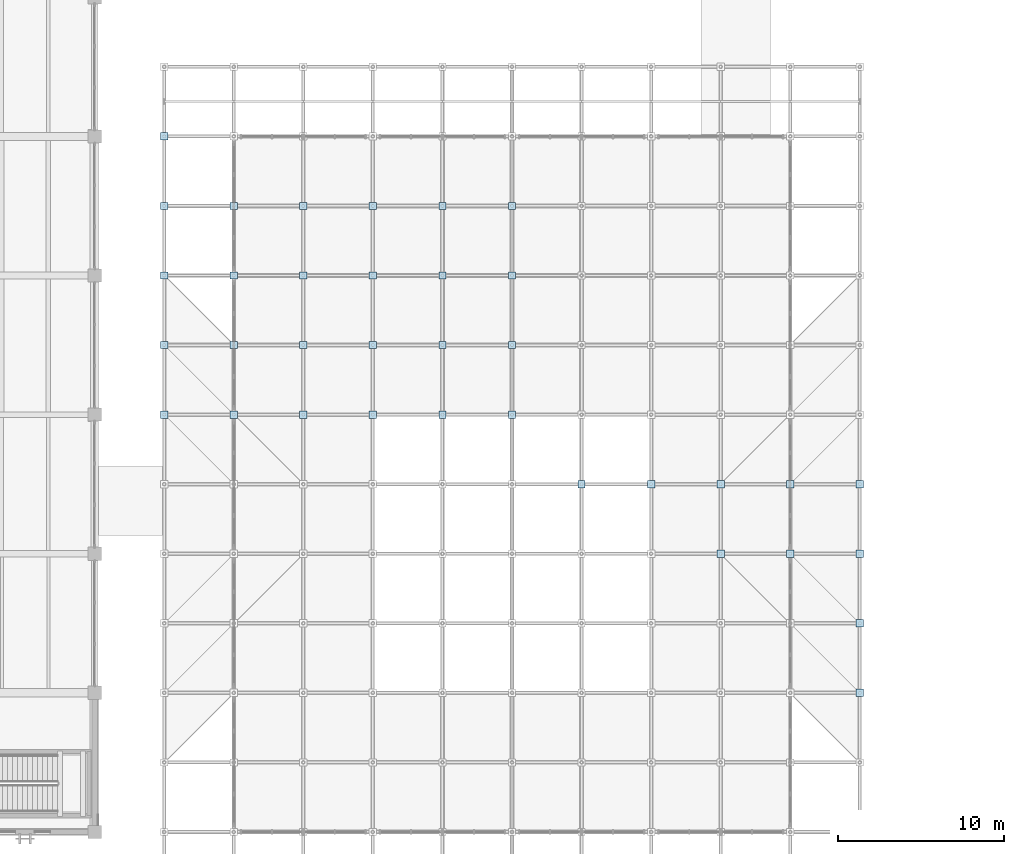
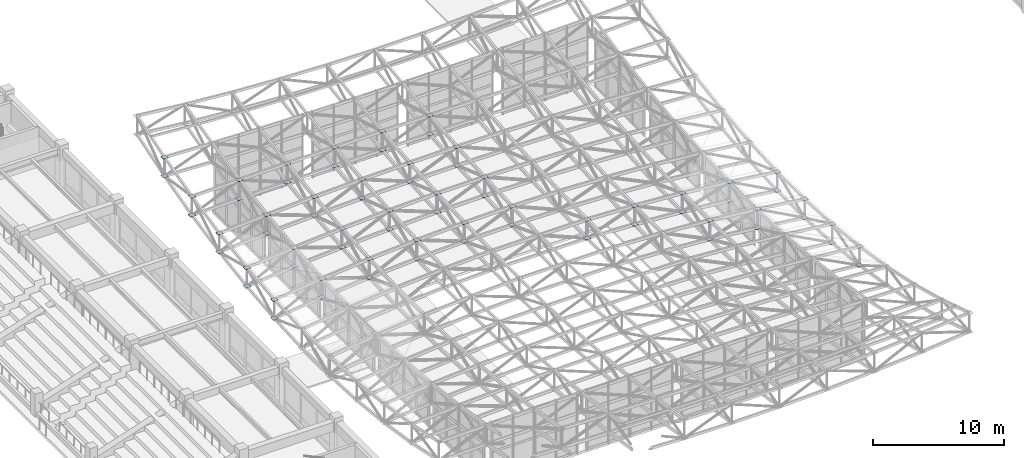
# One storey, part 75 of 132: 70 plates.
"""IFC4 building model written with IfcOpenShell, lengths in metres."""

from ifc_helpers import new_model, si_unit, direction, frame, origin, origin_2d, place, context, subcontext, project, spatial, rectangle, extrude, material, layer, layer_set, type_object, element, save


model = new_model("IFC4")

# Units and contexts
model_context = context("Model", 3, precision=1e-05, world=origin(), true_north=direction((0.0, 1.0)))
body_context = subcontext(model_context, "Body", "Model", "MODEL_VIEW")
ifc_project = project(units=[si_unit("LENGTHUNIT", "METRE"), si_unit("AREAUNIT", "SQUARE_METRE"), si_unit("VOLUMEUNIT", "CUBIC_METRE"), si_unit("PLANEANGLEUNIT", "RADIAN"), si_unit("MASSUNIT", "GRAM", prefix="KILO")], contexts=[model_context])

# Site, building, storey
site_placement = place(None, origin())
site = spatial("IfcSite", under=ifc_project, at=site_placement, CompositionType="ELEMENT")
building_placement = place(site_placement, origin())
building = spatial("IfcBuilding", under=site, at=building_placement, Name="Cumbredor Promenade Congress Hotel", CompositionType="ELEMENT")
storey_placement = place(building_placement, frame((0.0, 0.0, 7.56005859375)))
storey = spatial("IfcBuildingStorey", under=building, at=storey_placement, Name="L02", CompositionType="ELEMENT", Elevation=7.56005859375)

# Plates
ifc_material = material(Name="Steel ASTM A572 Grade 50", Category="steel")
ifc_layer = layer(ifc_material, 0.028076171875, Name="Steel ASTM A572 Grade 50", Category="steel")
ifc_layer_set = layer_set([ifc_layer], Name="Steel ASTM A572 Grade 50")
plate_type = type_object("IfcPlateType", Name="Space Frame Node Assembly ND-03", PredefinedType="USERDEFINED", material=ifc_layer_set)
for number, where, z_axis, x_axis, name in (
    (1, (71.39990234375, 33.60009765625, 3.29541015625), (0.0, 0.0, 1.0), (1.0, 0.0, 0.0), "Thermal Spa and Hydrotherapy Pavilion Space Frame Top Node 1.9"),
    (2, (71.39990234375, 33.60009765625, 1.54541015625), (0.0, 0.0, 1.0), (1.0, 0.0, 0.0), "Thermal Spa and Hydrotherapy Pavilion Space Frame Bottom Node 1.9"),
    (3, (71.39990234375, 37.800048828125, 3.7392578125), (0.0, 0.0, 1.0), (1.0, 0.0, 0.0), "Thermal Spa and Hydrotherapy Pavilion Space Frame Top Node 1.10"),
    (4, (71.39990234375, 37.800048828125, 1.9892578125), (0.0, 0.0, 1.0), (1.0, 0.0, 0.0), "Thermal Spa and Hydrotherapy Pavilion Space Frame Bottom Node 1.10"),
    (5, (71.39990234375, 42.0, 4.40478515625), (0.0, 0.0, 1.0), (1.0, 0.0, 0.0), "Thermal Spa and Hydrotherapy Pavilion Space Frame Top Node 1.11"),
    (6, (71.39990234375, 42.0, 2.65478515625), (0.0, 0.0, 1.0), (1.0, 0.0, 0.0), "Thermal Spa and Hydrotherapy Pavilion Space Frame Bottom Node 1.11"),
    (7, (71.39990234375, 46.199951171875, 5.2919921875), (0.0, 0.0, 1.0), (1.0, 0.0, 0.0), "Thermal Spa and Hydrotherapy Pavilion Space Frame Top Node 1.12"),
    (8, (71.39990234375, 46.199951171875, 3.5419921875), (0.0, 0.0, 1.0), (1.0, 0.0, 0.0), "Thermal Spa and Hydrotherapy Pavilion Space Frame Bottom Node 1.12"),
    (9, (71.39990234375, 50.39990234375, 6.40087890625), (0.0, 0.0, 1.0), (1.0, 0.0, 0.0), "Thermal Spa and Hydrotherapy Pavilion Space Frame Top Node 1.13"),
    (10, (71.39990234375, 50.39990234375, 4.65087890625), (0.0, 0.0, 1.0), (1.0, 0.0, 0.0), "Thermal Spa and Hydrotherapy Pavilion Space Frame Bottom Node 1.13"),
    (11, (75.60009765625, 33.60009765625, 3.783203125), (0.0, 0.0, 1.0), (1.0, 0.0, 0.0), "Thermal Spa and Hydrotherapy Pavilion Space Frame Top Node 2.9"),
    (12, (75.60009765625, 33.60009765625, 2.033203125), (0.0, 0.0, 1.0), (1.0, 0.0, 0.0), "Thermal Spa and Hydrotherapy Pavilion Space Frame Bottom Node 2.9"),
    (13, (75.60009765625, 37.800048828125, 4.13525390625), (0.0, 0.0, 1.0), (1.0, 0.0, 0.0), "Thermal Spa and Hydrotherapy Pavilion Space Frame Top Node 2.10"),
    (14, (75.60009765625, 37.800048828125, 2.38525390625), (0.0, 0.0, 1.0), (1.0, 0.0, 0.0), "Thermal Spa and Hydrotherapy Pavilion Space Frame Bottom Node 2.10"),
    (15, (75.60009765625, 42.0, 4.6630859375), (0.0, 0.0, 1.0), (1.0, 0.0, 0.0), "Thermal Spa and Hydrotherapy Pavilion Space Frame Top Node 2.11"),
    (16, (75.60009765625, 42.0, 2.9130859375), (0.0, 0.0, 1.0), (1.0, 0.0, 0.0), "Thermal Spa and Hydrotherapy Pavilion Space Frame Bottom Node 2.11"),
    (17, (75.60009765625, 46.199951171875, 5.3662109375), (0.0, 0.0, 1.0), (1.0, 0.0, 0.0), "Thermal Spa and Hydrotherapy Pavilion Space Frame Top Node 2.12"),
    (18, (75.60009765625, 46.199951171875, 3.6162109375), (0.0, 0.0, 1.0), (1.0, 0.0, 0.0), "Thermal Spa and Hydrotherapy Pavilion Space Frame Bottom Node 2.12"),
    (19, (79.800048828125, 33.60009765625, 4.1640625), (0.0, 0.0, 1.0), (1.0, 0.0, 0.0), "Thermal Spa and Hydrotherapy Pavilion Space Frame Top Node 3.9"),
    (20, (79.800048828125, 33.60009765625, 2.4140625), (0.0, 0.0, 1.0), (1.0, 0.0, 0.0), "Thermal Spa and Hydrotherapy Pavilion Space Frame Bottom Node 3.9"),
    (21, (79.800048828125, 37.800048828125, 4.44482421875), (0.0, 0.0, 1.0), (1.0, 0.0, 0.0), "Thermal Spa and Hydrotherapy Pavilion Space Frame Top Node 3.10"),
    (22, (79.800048828125, 37.800048828125, 2.69482421875), (0.0, 0.0, 1.0), (1.0, 0.0, 0.0), "Thermal Spa and Hydrotherapy Pavilion Space Frame Bottom Node 3.10"),
    (23, (79.800048828125, 42.0, 4.86572265625), (0.0, 0.0, 1.0), (1.0, 0.0, 0.0), "Thermal Spa and Hydrotherapy Pavilion Space Frame Top Node 3.11"),
    (24, (79.800048828125, 42.0, 3.11572265625), (0.0, 0.0, 1.0), (1.0, 0.0, 0.0), "Thermal Spa and Hydrotherapy Pavilion Space Frame Bottom Node 3.11"),
    (25, (79.800048828125, 46.199951171875, 5.4267578125), (0.0, 0.0, 1.0), (1.0, 0.0, 0.0), "Thermal Spa and Hydrotherapy Pavilion Space Frame Top Node 3.12"),
    (26, (79.800048828125, 46.199951171875, 3.6767578125), (0.0, 0.0, 1.0), (1.0, 0.0, 0.0), "Thermal Spa and Hydrotherapy Pavilion Space Frame Bottom Node 3.12"),
    (27, (84.0, 33.60009765625, 4.4365234375), (0.0, 0.0, 1.0), (1.0, 0.0, 0.0), "Thermal Spa and Hydrotherapy Pavilion Space Frame Top Node 4.9"),
    (28, (84.0, 33.60009765625, 2.6865234375), (0.0, 0.0, 1.0), (1.0, 0.0, 0.0), "Thermal Spa and Hydrotherapy Pavilion Space Frame Bottom Node 4.9"),
    (29, (84.0, 37.800048828125, 4.666015625), (0.0, 0.0, 1.0), (1.0, 0.0, 0.0), "Thermal Spa and Hydrotherapy Pavilion Space Frame Top Node 4.10"),
    (30, (84.0, 37.800048828125, 2.916015625), (0.0, 0.0, 1.0), (1.0, 0.0, 0.0), "Thermal Spa and Hydrotherapy Pavilion Space Frame Bottom Node 4.10"),
    (31, (84.0, 42.0, 5.0107421875), (0.0, 0.0, 1.0), (1.0, 0.0, 0.0), "Thermal Spa and Hydrotherapy Pavilion Space Frame Top Node 4.11"),
    (32, (84.0, 42.0, 3.2607421875), (0.0, 0.0, 1.0), (1.0, 0.0, 0.0), "Thermal Spa and Hydrotherapy Pavilion Space Frame Bottom Node 4.11"),
    (33, (84.0, 46.199951171875, 5.47021484375), (0.0, 0.0, 1.0), (1.0, 0.0, 0.0), "Thermal Spa and Hydrotherapy Pavilion Space Frame Top Node 4.12"),
    (34, (84.0, 46.199951171875, 3.72021484375), (0.0, 0.0, 1.0), (1.0, 0.0, 0.0), "Thermal Spa and Hydrotherapy Pavilion Space Frame Bottom Node 4.12"),
    (35, (88.199951171875, 33.60009765625, 4.599609375), (0.0, 0.0, 1.0), (1.0, 0.0, 0.0), "Thermal Spa and Hydrotherapy Pavilion Space Frame Top Node 5.9"),
    (36, (88.199951171875, 33.60009765625, 2.849609375), (0.0, 0.0, 1.0), (1.0, 0.0, 0.0), "Thermal Spa and Hydrotherapy Pavilion Space Frame Bottom Node 5.9"),
    (37, (88.199951171875, 37.800048828125, 4.798828125), (0.0, 0.0, 1.0), (1.0, 0.0, 0.0), "Thermal Spa and Hydrotherapy Pavilion Space Frame Top Node 5.10"),
    (38, (88.199951171875, 37.800048828125, 3.048828125), (0.0, 0.0, 1.0), (1.0, 0.0, 0.0), "Thermal Spa and Hydrotherapy Pavilion Space Frame Bottom Node 5.10"),
    (39, (88.199951171875, 42.0, 5.09765625), (0.0, 0.0, 1.0), (1.0, 0.0, 0.0), "Thermal Spa and Hydrotherapy Pavilion Space Frame Top Node 5.11"),
    (40, (88.199951171875, 42.0, 3.34765625), (0.0, 0.0, 1.0), (1.0, 0.0, 0.0), "Thermal Spa and Hydrotherapy Pavilion Space Frame Bottom Node 5.11"),
    (41, (88.199951171875, 46.199951171875, 5.49609375), (0.0, 0.0, 1.0), (1.0, 0.0, 0.0), "Thermal Spa and Hydrotherapy Pavilion Space Frame Top Node 5.12"),
    (42, (88.199951171875, 46.199951171875, 3.74609375), (0.0, 0.0, 1.0), (1.0, 0.0, 0.0), "Thermal Spa and Hydrotherapy Pavilion Space Frame Bottom Node 5.12"),
    (43, (92.39990234375, 33.60009765625, 4.654296875), (0.0, 0.0, 1.0), (1.0, 0.0, 0.0), "Thermal Spa and Hydrotherapy Pavilion Space Frame Top Node 6.9"),
    (44, (92.39990234375, 33.60009765625, 2.904296875), (0.0, 0.0, 1.0), (1.0, 0.0, 0.0), "Thermal Spa and Hydrotherapy Pavilion Space Frame Bottom Node 6.9"),
    (45, (92.39990234375, 37.800048828125, 4.84326171875), (0.0, 0.0, 1.0), (1.0, 0.0, 0.0), "Thermal Spa and Hydrotherapy Pavilion Space Frame Top Node 6.10"),
    (46, (92.39990234375, 37.800048828125, 3.09326171875), (0.0, 0.0, 1.0), (1.0, 0.0, 0.0), "Thermal Spa and Hydrotherapy Pavilion Space Frame Bottom Node 6.10"),
    (47, (92.39990234375, 42.0, 5.12646484375), (0.0, 0.0, 1.0), (1.0, 0.0, 0.0), "Thermal Spa and Hydrotherapy Pavilion Space Frame Top Node 6.11"),
    (48, (92.39990234375, 42.0, 3.37646484375), (0.0, 0.0, 1.0), (1.0, 0.0, 0.0), "Thermal Spa and Hydrotherapy Pavilion Space Frame Bottom Node 6.11"),
    (49, (92.39990234375, 46.199951171875, 5.5048828125), (0.0, 0.0, 1.0), (1.0, 0.0, 0.0), "Thermal Spa and Hydrotherapy Pavilion Space Frame Top Node 6.12"),
    (50, (92.39990234375, 46.199951171875, 3.7548828125), (0.0, 0.0, 1.0), (1.0, 0.0, 0.0), "Thermal Spa and Hydrotherapy Pavilion Space Frame Bottom Node 6.12"),
    (51, (96.60009765625, 29.39990234375, 4.5), (0.0, 0.0, 1.0), (1.0, 0.0, 0.0), "Thermal Spa and Hydrotherapy Pavilion Space Frame Top Node 7.8"),
    (52, (96.60009765625, 29.39990234375, 2.75), (0.0, 0.0, 1.0), (1.0, 0.0, 0.0), "Thermal Spa and Hydrotherapy Pavilion Space Frame Bottom Node 7.8"),
    (53, (100.800048828125, 29.39990234375, 4.32177734375), (0.0, 0.0, 1.0), (1.0, 0.0, 0.0), "Thermal Spa and Hydrotherapy Pavilion Space Frame Top Node 8.8"),
    (54, (100.800048828125, 29.39990234375, 2.57177734375), (0.0, 0.0, 1.0), (1.0, 0.0, 0.0), "Thermal Spa and Hydrotherapy Pavilion Space Frame Bottom Node 8.8"),
    (55, (105.0, 25.199951171875, 4.02392578125), (0.0, 0.0, 1.0), (1.0, 0.0, 0.0), "Thermal Spa and Hydrotherapy Pavilion Space Frame Top Node 9.7"),
    (56, (105.0, 25.199951171875, 2.27392578125), (0.0, 0.0, 1.0), (1.0, 0.0, 0.0), "Thermal Spa and Hydrotherapy Pavilion Space Frame Bottom Node 9.7"),
    (57, (105.0, 29.39990234375, 4.02392578125), (0.0, 0.0, 1.0), (1.0, 0.0, 0.0), "Thermal Spa and Hydrotherapy Pavilion Space Frame Top Node 9.8"),
    (58, (105.0, 29.39990234375, 2.27392578125), (0.0, 0.0, 1.0), (1.0, 0.0, 0.0), "Thermal Spa and Hydrotherapy Pavilion Space Frame Bottom Node 9.8"),
    (59, (109.199951171875, 25.199951171875, 3.60791015625), (0.0, 0.0, 1.0), (1.0, 0.0, 0.0), "Thermal Spa and Hydrotherapy Pavilion Space Frame Top Node 10.7"),
    (60, (109.199951171875, 25.199951171875, 1.85791015625), (0.0, 0.0, 1.0), (1.0, 0.0, 0.0), "Thermal Spa and Hydrotherapy Pavilion Space Frame Bottom Node 10.7"),
    (61, (109.199951171875, 29.39990234375, 3.60791015625), (0.0, 0.0, 1.0), (1.0, 0.0, 0.0), "Thermal Spa and Hydrotherapy Pavilion Space Frame Top Node 10.8"),
    (62, (109.199951171875, 29.39990234375, 1.85791015625), (0.0, 0.0, 1.0), (1.0, 0.0, 0.0), "Thermal Spa and Hydrotherapy Pavilion Space Frame Bottom Node 10.8"),
    (63, (113.39990234375, 16.800048828125, 3.7392578125), (0.0, 0.0, 1.0), (1.0, 0.0, 0.0), "Thermal Spa and Hydrotherapy Pavilion Space Frame Top Node 11.5"),
    (64, (113.39990234375, 16.800048828125, 1.9892578125), (0.0, 0.0, 1.0), (1.0, 0.0, 0.0), "Thermal Spa and Hydrotherapy Pavilion Space Frame Bottom Node 11.5"),
    (65, (113.39990234375, 21.0, 3.29541015625), (0.0, 0.0, 1.0), (1.0, 0.0, 0.0), "Thermal Spa and Hydrotherapy Pavilion Space Frame Top Node 11.6"),
    (66, (113.39990234375, 21.0, 1.54541015625), (0.0, 0.0, 1.0), (1.0, 0.0, 0.0), "Thermal Spa and Hydrotherapy Pavilion Space Frame Bottom Node 11.6"),
    (67, (113.39990234375, 25.199951171875, 3.0732421875), (0.0, 0.0, 1.0), (1.0, 0.0, 0.0), "Thermal Spa and Hydrotherapy Pavilion Space Frame Top Node 11.7"),
    (68, (113.39990234375, 25.199951171875, 1.3232421875), (0.0, 0.0, 1.0), (1.0, 0.0, 0.0), "Thermal Spa and Hydrotherapy Pavilion Space Frame Bottom Node 11.7"),
    (69, (113.39990234375, 29.39990234375, 3.0732421875), (0.0, 0.0, 1.0), (1.0, 0.0, 0.0), "Thermal Spa and Hydrotherapy Pavilion Space Frame Top Node 11.8"),
    (70, (113.39990234375, 29.39990234375, 1.3232421875), (0.0, 0.0, 1.0), (1.0, 0.0, 0.0), "Thermal Spa and Hydrotherapy Pavilion Space Frame Bottom Node 11.8"),
):
    element("IfcPlate", number, at=place(storey_placement, frame(where, z_axis=z_axis, x_axis=x_axis)), inside=storey, type_object=plate_type, Name=name, ObjectType="GUSSET PLATE", PredefinedType="USERDEFINED", context=body_context, shape_type="SweptSolid", body=[
        extrude(rectangle(XDim=0.43994140625, YDim=0.43994140625, at=origin_2d()), origin(), (0.0, 0.0, 1.0), 0.028076171875),
    ])

save(model, "model.ifc")
